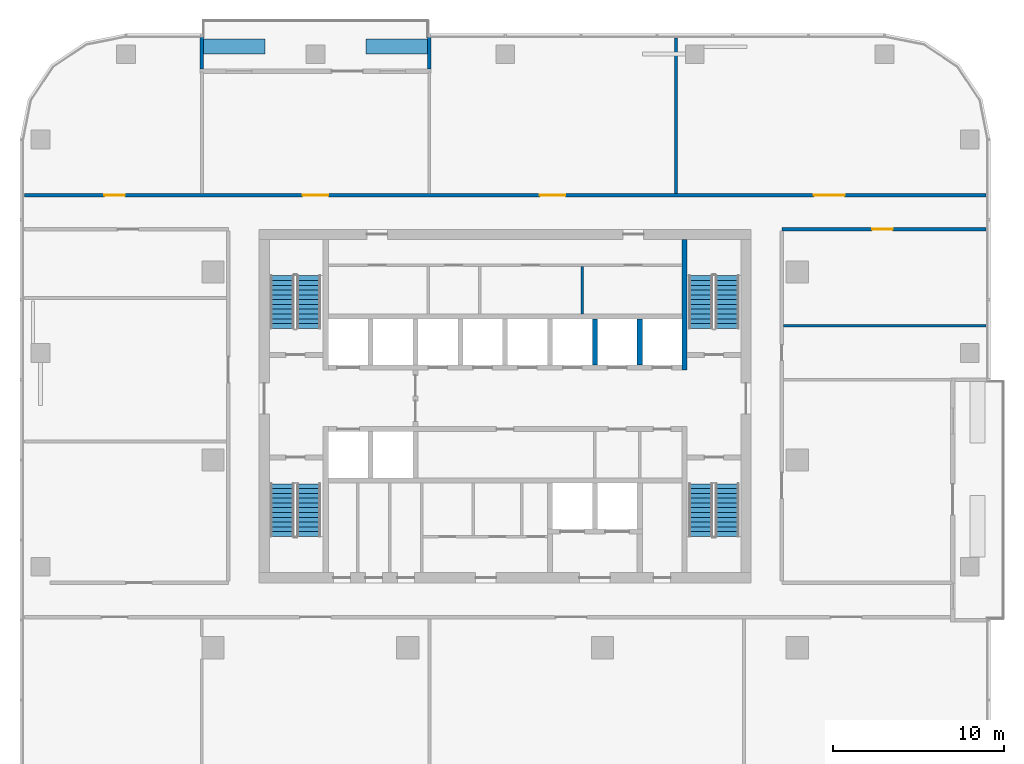
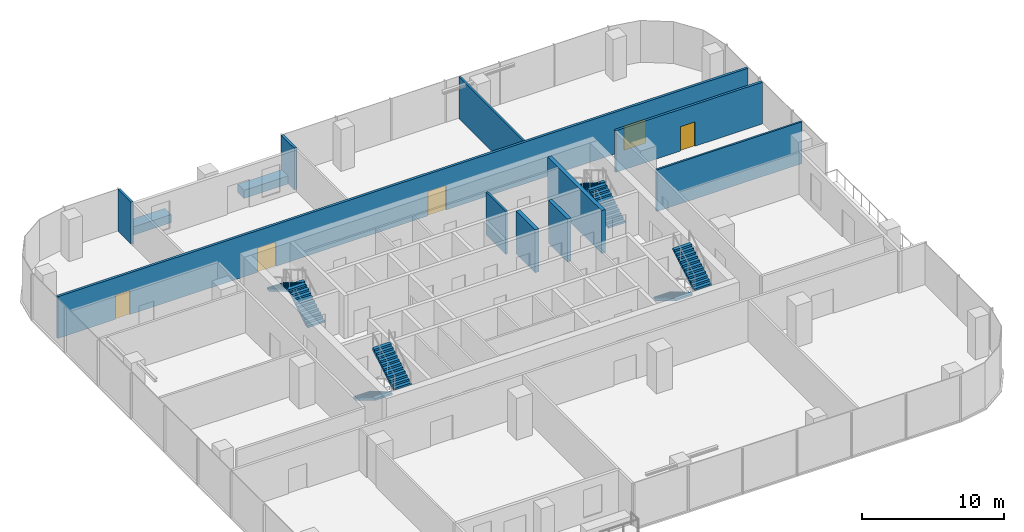
# One storey, part 10 of 14: 12 walls, 8 stair flights, 5 doors, 5 openings, 4 elements without a shape of their own.
"""IFC4 building model written with IfcOpenShell, lengths in metres."""

from ifc_helpers import new_model, si_unit, direction, frame, frame_2d, origin, place, context, subcontext, project, spatial, polyline, rectangle, outline, extrude, material, layer, layer_set, type_object, element, fill, aggregate, save


model = new_model("IFC4")

# Units and contexts
model_context = context("Model", 3, precision=1e-05, world=origin(), true_north=direction((0.0, 1.0)))
body_context = subcontext(model_context, "Body", "Model", "MODEL_VIEW")
ifc_project = project(units=[si_unit("LENGTHUNIT", "METRE"), si_unit("AREAUNIT", "SQUARE_METRE"), si_unit("VOLUMEUNIT", "CUBIC_METRE"), si_unit("PLANEANGLEUNIT", "RADIAN"), si_unit("MASSUNIT", "GRAM", prefix="KILO")], contexts=[model_context])

# Site, building, storey
site_placement = place(None, origin())
site = spatial("IfcSite", under=ifc_project, at=site_placement, CompositionType="ELEMENT")
building_placement = place(site_placement, origin())
building = spatial("IfcBuilding", under=site, at=building_placement, Name="Mopane Tessera Tower", CompositionType="ELEMENT")
storey_placement = place(building_placement, frame((0.0, 0.0, 231.0)))
storey = spatial("IfcBuildingStorey", under=building, at=storey_placement, Name="L49", CompositionType="ELEMENT", Elevation=231.0)

# Walls
ifc_material_1 = material(Name="Fire-rated gypsum board partition")
ifc_layer_1 = layer(ifc_material_1, 0.14990234375)
ifc_layer_set_1 = layer_set([ifc_layer_1], Name="Fire-rated gypsum board partition")
wall_type_1 = type_object("IfcWallType", Name="Core room partition 150 mm", PredefinedType="PARTITIONING", material=ifc_layer_set_1)
wall_1_placement = place(storey_placement, frame((4.5, 8.550048828125, 0.0), z_axis=(0.0, 0.0, 1.0), x_axis=(0.0, 1.0, 0.0)))
element("IfcWall", 1, at=wall_1_placement, inside=storey, type_object=wall_type_1, Name="L49 Room partition", PredefinedType="PARTITIONING", context=body_context, shape_type="SweptSolid", body=[
    extrude(rectangle(XDim=2.77490234375, YDim=0.14990234375, at=frame_2d((1.387451171875, 0.0))), origin(), (0.0, 0.0, 1.0), 3.699951171875),
])
ifc_material_2 = material(Name="Concrete C60/75", Category="concrete")
ifc_layer_2 = layer(ifc_material_2, 0.300048828125)
ifc_layer_set_2 = layer_set([ifc_layer_2], Name="Concrete C60/75")
wall_type_2 = type_object("IfcWallType", Name="Core spine wall 300 mm", PredefinedType="SHEAR", material=ifc_layer_set_2)
wall_2_placement = place(storey_placement, frame((10.5, 5.25, 0.0), z_axis=(0.0, 0.0, 1.0), x_axis=(0.0, 1.0, 0.0)))
element("IfcWall", 2, at=wall_2_placement, inside=storey, type_object=wall_type_2, Name="L49 Core spine wall", PredefinedType="SHEAR", context=body_context, shape_type="SweptSolid", body=[
    extrude(rectangle(XDim=7.64990234375, YDim=0.300048828125, at=frame_2d((3.824951171875, 0.0))), origin(), (0.0, 0.0, 1.0), 3.699951171875),
])

# Wall, opening, door
ifc_material_3 = material(Name="Gypsum board on steel studs, two layers each face, mineral wool infill", Category="steel")
ifc_layer_3 = layer(ifc_material_3, 0.199951171875)
ifc_layer_set_3 = layer_set([ifc_layer_3], Name="Gypsum board on steel studs, two layers each face, mineral wool infill")
wall_type_3 = type_object("IfcWallType", Name="Gypsum board corridor wall 200, rated EI 60", PredefinedType="PARTITIONING", material=ifc_layer_set_3)
wall_3_placement = place(storey_placement, frame((16.199951171875, 13.5, 0.0), z_axis=(0.0, 0.0, 1.0), x_axis=(1.0, 0.0, 0.0)))
wall_3 = element("IfcWall", 3, at=wall_3_placement, inside=storey, type_object=wall_type_3, Name="Partition L49:008", PredefinedType="PARTITIONING", context=body_context, shape_type="SweptSolid", body=[
    extrude(rectangle(XDim=11.949951171875, YDim=0.199951171875, at=frame_2d((5.97509765625, 0.0))), origin(), (0.0, 0.0, 1.0), 3.60009765625),
])
opening_1_placement = place(wall_3_placement, frame((5.27490234375, 0.0, 0.0)))
opening_1 = element("IfcOpeningElement", 4, at=opening_1_placement, cuts=wall_3, Name="Opening L49-07", PredefinedType="OPENING", context=body_context, shape_type="SweptSolid", body=[
    extrude(rectangle(XDim=1.199951171875, YDim=2.10009765625, at=frame_2d((0.60009765625, 1.050048828125))), frame((0.0, 0.112060546875, 0.0), z_axis=(0.0, -1.0, 0.0), x_axis=(1.0, 0.0, 0.0)), (0.0, 0.0, 1.0), 0.223876953125),
])
ifc_material_4 = material(Name="Timber veneered steel-framed fire door", Category="steel")
door_type_1 = type_object("IfcDoorType", Name="Fire door FD60 1200 x 2100", OperationType="SINGLE_SWING_LEFT", PredefinedType="DOOR", material=ifc_material_4)
door_1_placement = place(opening_1_placement, origin())
door_1 = element("IfcDoor", 5, at=door_1_placement, inside=storey, type_object=door_type_1, Name="Door L49-07", ObjectType="D15A", OperationType="SINGLE_SWING_LEFT", OverallHeight=2.10009765625, OverallWidth=1.199951171875, PredefinedType="DOOR", context=body_context, shape_type="SweptSolid", body=[
    extrude(rectangle(XDim=1.199951171875, YDim=2.10009765625, at=frame_2d((0.60009765625, 1.050048828125))), frame((0.0, 0.02490234375, 0.0), z_axis=(0.0, -1.0, 0.0), x_axis=(1.0, 0.0, 0.0)), (0.0, 0.0, 1.0), 0.050048828125),
])
fill(opening_1, door_1)

# Wall, openings, doors
wall_4_placement = place(storey_placement, frame((-28.14990234375, 15.5, 0.0), z_axis=(0.0, 0.0, 1.0), x_axis=(1.0, 0.0, 0.0)))
wall_4 = element("IfcWall", 6, at=wall_4_placement, inside=storey, type_object=wall_type_3, Name="Partition L49:009", PredefinedType="PARTITIONING", context=body_context, shape_type="SweptSolid", body=[
    extrude(rectangle(XDim=56.2998046875, YDim=0.199951171875, at=frame_2d((28.14990234375, 0.0))), origin(), (0.0, 0.0, 1.0), 3.60009765625),
])
opening_2_placement = place(wall_4_placement, frame((16.300048828125, 0.0, 0.0)))
opening_2 = element("IfcOpeningElement", 7, at=opening_2_placement, cuts=wall_4, Name="Opening L49-04", PredefinedType="OPENING", context=body_context, shape_type="SweptSolid", body=[
    extrude(rectangle(XDim=1.5, YDim=2.10009765625, at=frame_2d((0.75, 1.050048828125))), frame((0.0, 0.112060546875, 0.0), z_axis=(0.0, -1.0, 0.0), x_axis=(1.0, 0.0, 0.0)), (0.0, 0.0, 1.0), 0.223876953125),
])
opening_3_placement = place(wall_4_placement, frame((46.22509765625, 0.0, 0.0)))
opening_3 = element("IfcOpeningElement", 8, at=opening_3_placement, cuts=wall_4, Name="Opening L49-06", PredefinedType="OPENING", context=body_context, shape_type="SweptSolid", body=[
    extrude(rectangle(XDim=1.800048828125, YDim=2.10009765625, at=frame_2d((0.89990234375, 1.050048828125))), frame((0.0, 0.112060546875, 0.0), z_axis=(0.0, -1.0, 0.0), x_axis=(1.0, 0.0, 0.0)), (0.0, 0.0, 1.0), 0.223876953125),
])
opening_4_placement = place(wall_4_placement, frame((30.179931640625, 0.0, 0.0)))
opening_4 = element("IfcOpeningElement", 9, at=opening_4_placement, cuts=wall_4, Name="Opening L49-10", PredefinedType="OPENING", context=body_context, shape_type="SweptSolid", body=[
    extrude(rectangle(XDim=1.5, YDim=2.10009765625, at=frame_2d((0.75, 1.050048828125))), frame((0.0, 0.112060546875, 0.0), z_axis=(0.0, -1.0, 0.0), x_axis=(1.0, 0.0, 0.0)), (0.0, 0.0, 1.0), 0.223876953125),
])
opening_5_placement = place(wall_4_placement, frame((4.695068359375, 0.0, 0.0)))
opening_5 = element("IfcOpeningElement", 10, at=opening_5_placement, cuts=wall_4, Name="Opening L49-12", PredefinedType="OPENING", context=body_context, shape_type="SweptSolid", body=[
    extrude(rectangle(XDim=1.199951171875, YDim=2.10009765625, at=frame_2d((0.60009765625, 1.050048828125))), frame((0.0, 0.112060546875, 0.0), z_axis=(0.0, -1.0, 0.0), x_axis=(1.0, 0.0, 0.0)), (0.0, 0.0, 1.0), 0.223876953125),
])
door_2_placement = place(opening_5_placement, origin())
door_2 = element("IfcDoor", 11, at=door_2_placement, inside=storey, type_object=door_type_1, Name="Door L49-12", ObjectType="D15A", OperationType="SINGLE_SWING_LEFT", OverallHeight=2.10009765625, OverallWidth=1.199951171875, PredefinedType="DOOR", context=body_context, shape_type="SweptSolid", body=[
    extrude(rectangle(XDim=1.199951171875, YDim=2.10009765625, at=frame_2d((0.60009765625, 1.050048828125))), frame((0.0, 0.02490234375, 0.0), z_axis=(0.0, -1.0, 0.0), x_axis=(1.0, 0.0, 0.0)), (0.0, 0.0, 1.0), 0.050048828125),
])
fill(opening_5, door_2)
ifc_material_5 = material(Name="Timber veneered steel-framed fire door", Category="steel")
door_type_2 = type_object("IfcDoorType", Name="Fire door pair FD60 1500 x 2100", OperationType="DOUBLE_DOOR_SINGLE_SWING", PredefinedType="DOOR", material=ifc_material_5)
door_3_placement = place(opening_2_placement, origin())
door_3 = element("IfcDoor", 12, at=door_3_placement, inside=storey, type_object=door_type_2, Name="Door L49-04", ObjectType="D17A", OperationType="DOUBLE_DOOR_SINGLE_SWING", OverallHeight=2.10009765625, OverallWidth=1.5, PredefinedType="DOOR", context=body_context, shape_type="SweptSolid", body=[
    extrude(rectangle(XDim=1.5, YDim=2.10009765625, at=frame_2d((0.75, 1.050048828125))), frame((0.0, 0.02490234375, 0.0), z_axis=(0.0, -1.0, 0.0), x_axis=(1.0, 0.0, 0.0)), (0.0, 0.0, 1.0), 0.050048828125),
])
fill(opening_2, door_3)
door_4_placement = place(opening_4_placement, origin())
door_4 = element("IfcDoor", 13, at=door_4_placement, inside=storey, type_object=door_type_2, Name="Door L49-10", ObjectType="D17A", OperationType="DOUBLE_DOOR_SINGLE_SWING", OverallHeight=2.10009765625, OverallWidth=1.5, PredefinedType="DOOR", context=body_context, shape_type="SweptSolid", body=[
    extrude(rectangle(XDim=1.5, YDim=2.10009765625, at=frame_2d((0.75, 1.050048828125))), frame((0.0, 0.02490234375, 0.0), z_axis=(0.0, -1.0, 0.0), x_axis=(1.0, 0.0, 0.0)), (0.0, 0.0, 1.0), 0.050048828125),
])
fill(opening_4, door_4)
ifc_material_6 = material(Name="Timber veneered steel-framed fire door", Category="steel")
door_type_3 = type_object("IfcDoorType", Name="Fire door pair FD60 1800 x 2100", OperationType="DOUBLE_DOOR_SINGLE_SWING", PredefinedType="DOOR", material=ifc_material_6)
door_5_placement = place(opening_3_placement, origin())
door_5 = element("IfcDoor", 14, at=door_5_placement, inside=storey, type_object=door_type_3, Name="Door L49-06", ObjectType="D20A", OperationType="DOUBLE_DOOR_SINGLE_SWING", OverallHeight=2.10009765625, OverallWidth=1.800048828125, PredefinedType="DOOR", context=body_context, shape_type="SweptSolid", body=[
    extrude(rectangle(XDim=1.800048828125, YDim=2.10009765625, at=frame_2d((0.89990234375, 1.050048828125))), frame((0.0, 0.02490234375, 0.0), z_axis=(0.0, -1.0, 0.0), x_axis=(1.0, 0.0, 0.0)), (0.0, 0.0, 1.0), 0.050048828125),
])
fill(opening_3, door_5)

# Walls
ifc_material_7 = material(Name="Gypsum board on steel studs, mineral wool infill", Category="steel")
ifc_layer_4 = layer(ifc_material_7, 0.14990234375)
ifc_layer_set_4 = layer_set([ifc_layer_4], Name="Gypsum board on steel studs, mineral wool infill")
wall_type_4 = type_object("IfcWallType", Name="Gypsum board partition 150, rated EI 60", PredefinedType="PARTITIONING", material=ifc_layer_set_4)
wall_5_placement = place(storey_placement, frame((16.300048828125, 7.85498046875, 0.0), z_axis=(0.0, 0.0, 1.0), x_axis=(1.0, 0.0, 0.0)))
element("IfcWall", 15, at=wall_5_placement, inside=storey, type_object=wall_type_4, Name="Partition L49:005", PredefinedType="PARTITIONING", context=body_context, shape_type="SweptSolid", body=[
    extrude(rectangle(XDim=11.849853515625, YDim=0.14990234375, at=frame_2d((5.9248046875, 0.0))), origin(), (0.0, 0.0, 1.0), 3.60009765625),
])
wall_6_placement = place(storey_placement, frame((10.0, 15.60009765625, 0.0), z_axis=(0.0, 0.0, 1.0), x_axis=(0.0, 1.0, 0.0)))
element("IfcWall", 16, at=wall_6_placement, inside=storey, type_object=wall_type_4, Name="Partition L49:016", PredefinedType="PARTITIONING", context=body_context, shape_type="SweptSolid", body=[
    extrude(rectangle(XDim=9.099853515625, YDim=0.14990234375, at=frame_2d((4.5498046875, 0.0))), origin(), (0.0, 0.0, 1.0), 3.60009765625),
])
ifc_material_8 = material(Name="Concrete C50/60", Category="concrete")
ifc_layer_5 = layer(ifc_material_8, 0.300048828125)
ifc_layer_set_5 = layer_set([ifc_layer_5], Name="Concrete C50/60")
wall_type_5 = type_object("IfcWallType", Name="Lift and stair shaft wall 300 mm", PredefinedType="SOLIDWALL", material=ifc_layer_set_5)
for number, where, z_axis, x_axis, name in (
    (17, (5.25, 5.550048828125, 0.0), (0.0, 0.0, 1.0), (0.0, 1.0, 0.0), "L49 Lift shaft wall"),
    (18, (7.875, 5.550048828125, 0.0), (0.0, 0.0, 1.0), (0.0, 1.0, 0.0), "L49 Lift shaft wall"),
):
    element("IfcWall", number, at=place(storey_placement, frame(where, z_axis=z_axis, x_axis=x_axis)), inside=storey, type_object=wall_type_5, Name=name, PredefinedType="SOLIDWALL", context=body_context, shape_type="SweptSolid", body=[
        extrude(rectangle(XDim=2.699951171875, YDim=0.300048828125, at=frame_2d((1.35009765625, 0.0))), origin(), (0.0, 0.0, 1.0), 3.699951171875),
    ])
ifc_material_9 = material(Name="Reinforced concrete C32/40 with waterproofing", Category="concrete")
ifc_layer_6 = layer(ifc_material_9, 0.89990234375)
ifc_layer_set_6 = layer_set([ifc_layer_6], Name="Reinforced concrete C32/40 with waterproofing")
wall_type_6 = type_object("IfcWallType", Name="Planter trough 3600 x 900", PredefinedType="STANDARD", material=ifc_layer_set_6)
for number, where, z_axis, x_axis, name in (
    (19, (-4.5400390625, 24.199951171875, 0.0), (0.0, 0.0, 1.0), (-1.0, 0.0, 0.0), "e:nw:L49:N3:pl0"),
    (20, (-14.06005859375, 24.199951171875, 0.0), (0.0, 0.0, 1.0), (-1.0, 0.0, 0.0), "e:nw:L49:N3:pl1"),
):
    element("IfcWall", number, at=place(storey_placement, frame(where, z_axis=z_axis, x_axis=x_axis)), inside=storey, type_object=wall_type_6, Name=name, PredefinedType="STANDARD", context=body_context, shape_type="SweptSolid", body=[
        extrude(rectangle(XDim=3.599853515625, YDim=0.89990234375, at=frame_2d((1.7998046875, 0.0))), origin(), (0.0, 0.0, 1.0), 0.699951171875),
    ])
ifc_material_10 = material(Name="Blockwork with glazed tile facing", Category="masonry")
ifc_layer_7 = layer(ifc_material_10, 0.199951171875)
ifc_layer_set_7 = layer_set([ifc_layer_7], Name="Blockwork with glazed tile facing")
wall_type_7 = type_object("IfcWallType", Name="Terrace cheek wall 200", PredefinedType="STANDARD", material=ifc_layer_set_7)
for number, where, z_axis, x_axis, name in (
    (21, (-4.43994140625, 24.75, 0.0), (0.0, 0.0, 1.0), (0.0, -1.0, 0.0), "e:nw:L49:N3:cheeka"),
    (22, (-17.760009765625, 24.75, 0.0), (0.0, 0.0, 1.0), (0.0, -1.0, 0.0), "e:nw:L49:N3:cheekb"),
):
    element("IfcWall", number, at=place(storey_placement, frame(where, z_axis=z_axis, x_axis=x_axis)), inside=storey, type_object=wall_type_7, Name=name, PredefinedType="STANDARD", context=body_context, shape_type="SweptSolid", body=[
        extrude(rectangle(XDim=1.875, YDim=0.199951171875, at=frame_2d((0.9375, 0.0))), origin(), (0.0, 0.0, 1.0), 3.60009765625),
    ])

# Stair, stair flights
ifc_material_11 = material(Name="Concrete C50/60", Category="concrete")
stair_type = type_object("IfcStairType", Name="Escape stair 1400 mm, riser 167 mm", PredefinedType="HALF_TURN_STAIR", material=ifc_material_11)
stair_1_placement = place(storey_placement, origin())
stair_1 = element("IfcStair", 23, at=stair_1_placement, inside=storey, type_object=stair_type, Name="L49 Escape stair south-west", PredefinedType="HALF_TURN_STAIR")
ifc_material_12 = material(Name="Concrete C50/60", Category="concrete")
stair_flight_type = type_object("IfcStairFlightType", Name="Escape stair flight 1400 mm", PredefinedType="STRAIGHT", material=ifc_material_12)
stair_flight_1_placement = place(storey_placement, frame((-13.050048828125, -1.39990234375, 0.0), z_axis=(0.0, 0.0, 1.0), x_axis=(0.0, -1.0, 0.0)))
stair_flight_1 = element("IfcStairFlight", 24, at=stair_flight_1_placement, type_object=stair_flight_type, Name="ST1 flight 1", NumberOfRisers=12, NumberOfTreads=11, PredefinedType="STRAIGHT", RiserHeight=0.166666667, TreadLength=0.28, context=body_context, shape_type="SweptSolid", body=[
    extrude(outline(polyline([(0.0, 0.0), (0.0, 0.166748046875), (0.280029296875, 0.166748046875), (0.280029296875, 0.333251953125), (0.56005859375, 0.333251953125), (0.56005859375, 0.5), (0.840087890625, 0.5), (0.840087890625, 0.666748046875), (1.1201171875, 0.666748046875), (1.1201171875, 0.833251953125), (1.39990234375, 0.833251953125), (1.39990234375, 1.0), (1.679931640625, 1.0), (1.679931640625, 1.166748046875), (1.9599609375, 1.166748046875), (1.9599609375, 1.333251953125), (2.239990234375, 1.333251953125), (2.239990234375, 1.5), (2.52001953125, 1.5), (2.52001953125, 1.666748046875), (2.800048828125, 1.666748046875), (2.800048828125, 1.833251953125), (3.080078125, 1.833251953125), (3.080078125, 2.0), (3.080078125, 1.658935546875), (0.29296875, 0.0), (0.0, 0.0)])), frame((0.0, 0.699951171875, 0.0), z_axis=(0.0, -1.0, 0.0), x_axis=(1.0, 0.0, 0.0)), (0.0, 0.0, 1.0), 1.39990234375),
])
stair_flight_2_placement = place(storey_placement, frame((-11.5, -4.47998046875, 2.0), z_axis=(0.0, 0.0, 1.0), x_axis=(0.0, 1.0, 0.0)))
stair_flight_2 = element("IfcStairFlight", 25, at=stair_flight_2_placement, type_object=stair_flight_type, Name="ST1 flight 2", NumberOfRisers=12, NumberOfTreads=11, PredefinedType="STRAIGHT", RiserHeight=0.166666667, TreadLength=0.28, context=body_context, shape_type="SweptSolid", body=[
    extrude(outline(polyline([(0.0, 0.0), (0.0, 0.166748046875), (0.280029296875, 0.166748046875), (0.280029296875, 0.333251953125), (0.56005859375, 0.333251953125), (0.56005859375, 0.5), (0.840087890625, 0.5), (0.840087890625, 0.666748046875), (1.1201171875, 0.666748046875), (1.1201171875, 0.833251953125), (1.39990234375, 0.833251953125), (1.39990234375, 1.0), (1.679931640625, 1.0), (1.679931640625, 1.166748046875), (1.9599609375, 1.166748046875), (1.9599609375, 1.333251953125), (2.239990234375, 1.333251953125), (2.239990234375, 1.5), (2.52001953125, 1.5), (2.52001953125, 1.666748046875), (2.800048828125, 1.666748046875), (2.800048828125, 1.833251953125), (3.080078125, 1.833251953125), (3.080078125, 2.0), (3.080078125, 1.658935546875), (0.29296875, 0.0), (0.0, 0.0)])), frame((0.0, 0.699951171875, 0.0), z_axis=(0.0, -1.0, 0.0), x_axis=(1.0, 0.0, 0.0)), (0.0, 0.0, 1.0), 1.39990234375),
])
aggregate(stair_1, [stair_flight_1, stair_flight_2])

stair_2_placement = place(storey_placement, origin())
stair_2 = element("IfcStair", 26, at=stair_2_placement, inside=storey, type_object=stair_type, Name="L49 Escape stair north-west", PredefinedType="HALF_TURN_STAIR")
stair_flight_3_placement = place(storey_placement, frame((-11.5, 7.699951171875, 0.0), z_axis=(0.0, 0.0, 1.0), x_axis=(0.0, 1.0, 0.0)))
stair_flight_3 = element("IfcStairFlight", 27, at=stair_flight_3_placement, type_object=stair_flight_type, Name="ST2 flight 1", NumberOfRisers=12, NumberOfTreads=11, PredefinedType="STRAIGHT", RiserHeight=0.166666667, TreadLength=0.28, context=body_context, shape_type="SweptSolid", body=[
    extrude(outline(polyline([(0.0, 0.0), (0.0, 0.166748046875), (0.280029296875, 0.166748046875), (0.280029296875, 0.333251953125), (0.56005859375, 0.333251953125), (0.56005859375, 0.5), (0.840087890625, 0.5), (0.840087890625, 0.666748046875), (1.1201171875, 0.666748046875), (1.1201171875, 0.833251953125), (1.39990234375, 0.833251953125), (1.39990234375, 1.0), (1.679931640625, 1.0), (1.679931640625, 1.166748046875), (1.9599609375, 1.166748046875), (1.9599609375, 1.333251953125), (2.239990234375, 1.333251953125), (2.239990234375, 1.5), (2.52001953125, 1.5), (2.52001953125, 1.666748046875), (2.800048828125, 1.666748046875), (2.800048828125, 1.833251953125), (3.080078125, 1.833251953125), (3.080078125, 2.0), (3.080078125, 1.658935546875), (0.29296875, 0.0), (0.0, 0.0)])), frame((0.0, 0.699951171875, 0.0), z_axis=(0.0, -1.0, 0.0), x_axis=(1.0, 0.0, 0.0)), (0.0, 0.0, 1.0), 1.39990234375),
])
stair_flight_4_placement = place(storey_placement, frame((-13.050048828125, 10.780029296875, 2.0), z_axis=(0.0, 0.0, 1.0), x_axis=(0.0, -1.0, 0.0)))
stair_flight_4 = element("IfcStairFlight", 28, at=stair_flight_4_placement, type_object=stair_flight_type, Name="ST2 flight 2", NumberOfRisers=12, NumberOfTreads=11, PredefinedType="STRAIGHT", RiserHeight=0.166666667, TreadLength=0.28, context=body_context, shape_type="SweptSolid", body=[
    extrude(outline(polyline([(0.0, 0.0), (0.0, 0.166748046875), (0.280029296875, 0.166748046875), (0.280029296875, 0.333251953125), (0.56005859375, 0.333251953125), (0.56005859375, 0.5), (0.840087890625, 0.5), (0.840087890625, 0.666748046875), (1.1201171875, 0.666748046875), (1.1201171875, 0.833251953125), (1.39990234375, 0.833251953125), (1.39990234375, 1.0), (1.679931640625, 1.0), (1.679931640625, 1.166748046875), (1.9599609375, 1.166748046875), (1.9599609375, 1.333251953125), (2.239990234375, 1.333251953125), (2.239990234375, 1.5), (2.52001953125, 1.5), (2.52001953125, 1.666748046875), (2.800048828125, 1.666748046875), (2.800048828125, 1.833251953125), (3.080078125, 1.833251953125), (3.080078125, 2.0), (3.080078125, 1.658935546875), (0.29296875, 0.0), (0.0, 0.0)])), frame((0.0, 0.699951171875, 0.0), z_axis=(0.0, -1.0, 0.0), x_axis=(1.0, 0.0, 0.0)), (0.0, 0.0, 1.0), 1.39990234375),
])
aggregate(stair_2, [stair_flight_3, stair_flight_4])

stair_3_placement = place(storey_placement, origin())
stair_3 = element("IfcStair", 29, at=stair_3_placement, inside=storey, type_object=stair_type, Name="L49 Escape stair south-east", PredefinedType="HALF_TURN_STAIR")
stair_flight_5_placement = place(storey_placement, frame((11.449951171875, -1.39990234375, 0.0), z_axis=(0.0, 0.0, 1.0), x_axis=(0.0, -1.0, 0.0)))
stair_flight_5 = element("IfcStairFlight", 30, at=stair_flight_5_placement, type_object=stair_flight_type, Name="ST3 flight 1", NumberOfRisers=12, NumberOfTreads=11, PredefinedType="STRAIGHT", RiserHeight=0.166666667, TreadLength=0.28, context=body_context, shape_type="SweptSolid", body=[
    extrude(outline(polyline([(0.0, 0.0), (0.0, 0.166748046875), (0.280029296875, 0.166748046875), (0.280029296875, 0.333251953125), (0.56005859375, 0.333251953125), (0.56005859375, 0.5), (0.840087890625, 0.5), (0.840087890625, 0.666748046875), (1.1201171875, 0.666748046875), (1.1201171875, 0.833251953125), (1.39990234375, 0.833251953125), (1.39990234375, 1.0), (1.679931640625, 1.0), (1.679931640625, 1.166748046875), (1.9599609375, 1.166748046875), (1.9599609375, 1.333251953125), (2.239990234375, 1.333251953125), (2.239990234375, 1.5), (2.52001953125, 1.5), (2.52001953125, 1.666748046875), (2.800048828125, 1.666748046875), (2.800048828125, 1.833251953125), (3.080078125, 1.833251953125), (3.080078125, 2.0), (3.080078125, 1.658935546875), (0.29296875, 0.0), (0.0, 0.0)])), frame((0.0, 0.699951171875, 0.0), z_axis=(0.0, -1.0, 0.0), x_axis=(1.0, 0.0, 0.0)), (0.0, 0.0, 1.0), 1.39990234375),
])
stair_flight_6_placement = place(storey_placement, frame((13.0, -4.47998046875, 2.0), z_axis=(0.0, 0.0, 1.0), x_axis=(0.0, 1.0, 0.0)))
stair_flight_6 = element("IfcStairFlight", 31, at=stair_flight_6_placement, type_object=stair_flight_type, Name="ST3 flight 2", NumberOfRisers=12, NumberOfTreads=11, PredefinedType="STRAIGHT", RiserHeight=0.166666667, TreadLength=0.28, context=body_context, shape_type="SweptSolid", body=[
    extrude(outline(polyline([(0.0, 0.0), (0.0, 0.166748046875), (0.280029296875, 0.166748046875), (0.280029296875, 0.333251953125), (0.56005859375, 0.333251953125), (0.56005859375, 0.5), (0.840087890625, 0.5), (0.840087890625, 0.666748046875), (1.1201171875, 0.666748046875), (1.1201171875, 0.833251953125), (1.39990234375, 0.833251953125), (1.39990234375, 1.0), (1.679931640625, 1.0), (1.679931640625, 1.166748046875), (1.9599609375, 1.166748046875), (1.9599609375, 1.333251953125), (2.239990234375, 1.333251953125), (2.239990234375, 1.5), (2.52001953125, 1.5), (2.52001953125, 1.666748046875), (2.800048828125, 1.666748046875), (2.800048828125, 1.833251953125), (3.080078125, 1.833251953125), (3.080078125, 2.0), (3.080078125, 1.658935546875), (0.29296875, 0.0), (0.0, 0.0)])), frame((0.0, 0.699951171875, 0.0), z_axis=(0.0, -1.0, 0.0), x_axis=(1.0, 0.0, 0.0)), (0.0, 0.0, 1.0), 1.39990234375),
])
aggregate(stair_3, [stair_flight_5, stair_flight_6])

stair_4_placement = place(storey_placement, origin())
stair_4 = element("IfcStair", 32, at=stair_4_placement, inside=storey, type_object=stair_type, Name="L49 Escape stair north-east", PredefinedType="HALF_TURN_STAIR")
stair_flight_7_placement = place(storey_placement, frame((13.0, 7.699951171875, 0.0), z_axis=(0.0, 0.0, 1.0), x_axis=(0.0, 1.0, 0.0)))
stair_flight_7 = element("IfcStairFlight", 33, at=stair_flight_7_placement, type_object=stair_flight_type, Name="ST4 flight 1", NumberOfRisers=12, NumberOfTreads=11, PredefinedType="STRAIGHT", RiserHeight=0.166666667, TreadLength=0.28, context=body_context, shape_type="SweptSolid", body=[
    extrude(outline(polyline([(0.0, 0.0), (0.0, 0.166748046875), (0.280029296875, 0.166748046875), (0.280029296875, 0.333251953125), (0.56005859375, 0.333251953125), (0.56005859375, 0.5), (0.840087890625, 0.5), (0.840087890625, 0.666748046875), (1.1201171875, 0.666748046875), (1.1201171875, 0.833251953125), (1.39990234375, 0.833251953125), (1.39990234375, 1.0), (1.679931640625, 1.0), (1.679931640625, 1.166748046875), (1.9599609375, 1.166748046875), (1.9599609375, 1.333251953125), (2.239990234375, 1.333251953125), (2.239990234375, 1.5), (2.52001953125, 1.5), (2.52001953125, 1.666748046875), (2.800048828125, 1.666748046875), (2.800048828125, 1.833251953125), (3.080078125, 1.833251953125), (3.080078125, 2.0), (3.080078125, 1.658935546875), (0.29296875, 0.0), (0.0, 0.0)])), frame((0.0, 0.699951171875, 0.0), z_axis=(0.0, -1.0, 0.0), x_axis=(1.0, 0.0, 0.0)), (0.0, 0.0, 1.0), 1.39990234375),
])
stair_flight_8_placement = place(storey_placement, frame((11.449951171875, 10.780029296875, 2.0), z_axis=(0.0, 0.0, 1.0), x_axis=(0.0, -1.0, 0.0)))
stair_flight_8 = element("IfcStairFlight", 34, at=stair_flight_8_placement, type_object=stair_flight_type, Name="ST4 flight 2", NumberOfRisers=12, NumberOfTreads=11, PredefinedType="STRAIGHT", RiserHeight=0.166666667, TreadLength=0.28, context=body_context, shape_type="SweptSolid", body=[
    extrude(outline(polyline([(0.0, 0.0), (0.0, 0.166748046875), (0.280029296875, 0.166748046875), (0.280029296875, 0.333251953125), (0.56005859375, 0.333251953125), (0.56005859375, 0.5), (0.840087890625, 0.5), (0.840087890625, 0.666748046875), (1.1201171875, 0.666748046875), (1.1201171875, 0.833251953125), (1.39990234375, 0.833251953125), (1.39990234375, 1.0), (1.679931640625, 1.0), (1.679931640625, 1.166748046875), (1.9599609375, 1.166748046875), (1.9599609375, 1.333251953125), (2.239990234375, 1.333251953125), (2.239990234375, 1.5), (2.52001953125, 1.5), (2.52001953125, 1.666748046875), (2.800048828125, 1.666748046875), (2.800048828125, 1.833251953125), (3.080078125, 1.833251953125), (3.080078125, 2.0), (3.080078125, 1.658935546875), (0.29296875, 0.0), (0.0, 0.0)])), frame((0.0, 0.699951171875, 0.0), z_axis=(0.0, -1.0, 0.0), x_axis=(1.0, 0.0, 0.0)), (0.0, 0.0, 1.0), 1.39990234375),
])
aggregate(stair_4, [stair_flight_7, stair_flight_8])

save(model, "model.ifc")
